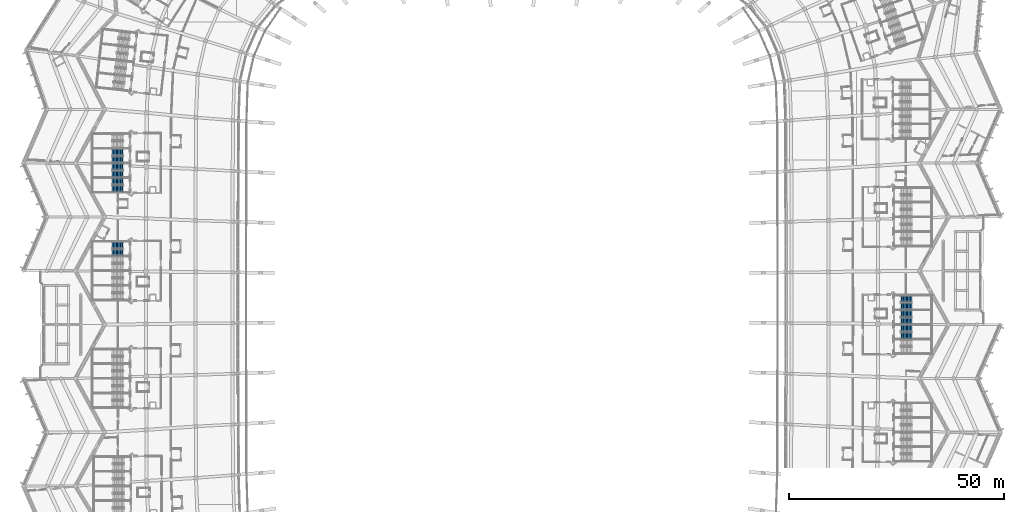
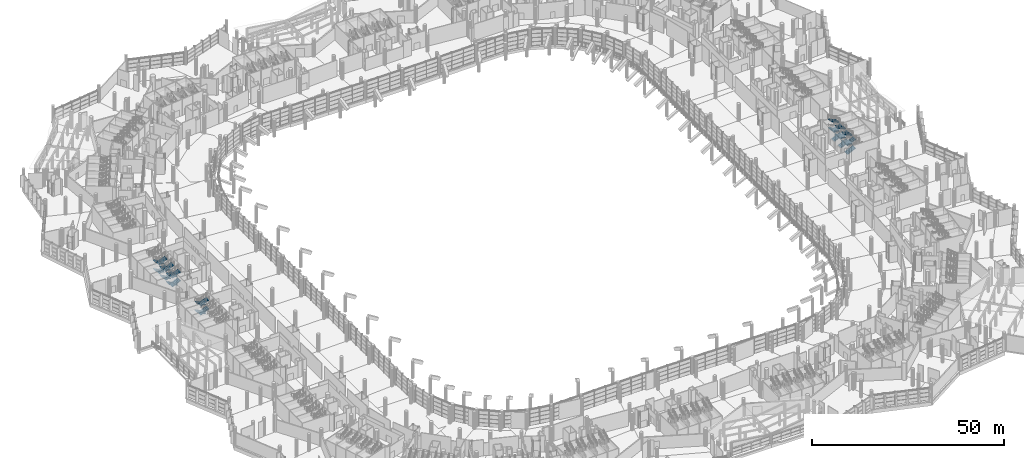
# One storey, part 213 of 271: 28 stair flights, 7 elements without a shape of their own.
"""IFC4 building model written with IfcOpenShell, lengths in metres."""

from ifc_helpers import new_model, si_unit, direction, frame, origin, place, context, subcontext, project, spatial, polyline, outline, extrude, material, type_object, element, aggregate, save


model = new_model("IFC4")

# Units and contexts
model_context = context("Model", 3, precision=1e-05, world=origin(), true_north=direction((0.0, 1.0)))
body_context = subcontext(model_context, "Body", "Model", "MODEL_VIEW")
ifc_project = project(units=[si_unit("LENGTHUNIT", "METRE"), si_unit("AREAUNIT", "SQUARE_METRE"), si_unit("VOLUMEUNIT", "CUBIC_METRE"), si_unit("PLANEANGLEUNIT", "RADIAN"), si_unit("MASSUNIT", "GRAM", prefix="KILO")], contexts=[model_context])

# Site, building, storey
site_placement = place(None, origin())
site = spatial("IfcSite", under=ifc_project, at=site_placement, CompositionType="ELEMENT")
building_placement = place(site_placement, origin())
building = spatial("IfcBuilding", under=site, at=building_placement, Name="Meseta Stadium", CompositionType="ELEMENT")
storey_placement = place(building_placement, frame((0.0, 0.0, 6.5)))
storey = spatial("IfcBuildingStorey", under=building, at=storey_placement, Name="L01", CompositionType="ELEMENT", Elevation=6.5)

# Stair, stair flights
ifc_material_1 = material(Name="Concrete C40/50", Category="concrete")
stair_type = type_object("IfcStairType", Name="Exit stair 4 flights 153 mm risers", PredefinedType="HALF_TURN_STAIR", material=ifc_material_1)
stair_1_placement = place(storey_placement, origin())
stair_1 = element("IfcStair", 1, at=stair_1_placement, inside=storey, type_object=stair_type, Name="ST10 L01", PredefinedType="HALF_TURN_STAIR")
ifc_material_2 = material(Name="Concrete C40/50", Category="concrete")
stair_flight_type = type_object("IfcStairFlightType", Name="Exit stair flight 153 mm risers, 4 per storey", PredefinedType="STRAIGHT", material=ifc_material_2)
stair_flight_1_placement = place(storey_placement, frame((90.300048828125, -8.800048828125, 0.0), z_axis=(0.0, 0.0, 1.0), x_axis=(1.0, 0.0, 0.0)))
stair_flight_1 = element("IfcStairFlight", 2, at=stair_flight_1_placement, type_object=stair_flight_type, Name="ST10 L01 flight 1", NumberOfRisers=9, NumberOfTreads=8, PredefinedType="STRAIGHT", RiserHeight=0.152777778, TreadLength=0.32, context=body_context, shape_type="SweptSolid", body=[
    extrude(outline(polyline([(0.0, 0.0), (0.0, 0.15283203125), (0.320068359375, 0.15283203125), (0.320068359375, 0.3056640625), (0.639892578125, 0.3056640625), (0.639892578125, 0.458251953125), (0.9599609375, 0.458251953125), (0.9599609375, 0.611083984375), (1.280029296875, 0.611083984375), (1.280029296875, 0.763916015625), (1.60009765625, 0.763916015625), (1.60009765625, 0.916748046875), (1.919921875, 0.916748046875), (1.919921875, 1.0693359375), (2.239990234375, 1.0693359375), (2.239990234375, 1.22216796875), (2.56005859375, 1.22216796875), (2.56005859375, 1.05615234375), (0.347900390625, 0.0), (0.0, 0.0)])), frame((0.0, 0.75, 0.0), z_axis=(0.0, -1.0, 0.0), x_axis=(1.0, 0.0, 0.0)), (0.0, 0.0, 1.0), 1.5),
])
stair_flight_2_placement = place(storey_placement, frame((92.860107421875, -7.10009765625, 1.375), z_axis=(0.0, 0.0, 1.0), x_axis=(-1.0, 0.0, 0.0)))
stair_flight_2 = element("IfcStairFlight", 3, at=stair_flight_2_placement, type_object=stair_flight_type, Name="ST10 L01 flight 2", NumberOfRisers=9, NumberOfTreads=8, PredefinedType="STRAIGHT", RiserHeight=0.152777778, TreadLength=0.32, context=body_context, shape_type="SweptSolid", body=[
    extrude(outline(polyline([(0.0, 0.0), (0.0, 0.15283203125), (0.320068359375, 0.15283203125), (0.320068359375, 0.3056640625), (0.639892578125, 0.3056640625), (0.639892578125, 0.458251953125), (0.9599609375, 0.458251953125), (0.9599609375, 0.611083984375), (1.280029296875, 0.611083984375), (1.280029296875, 0.763916015625), (1.60009765625, 0.763916015625), (1.60009765625, 0.916748046875), (1.919921875, 0.916748046875), (1.919921875, 1.0693359375), (2.239990234375, 1.0693359375), (2.239990234375, 1.22216796875), (2.56005859375, 1.22216796875), (2.56005859375, 1.05615234375), (0.347900390625, 0.0), (0.0, 0.0)])), frame((0.0, 0.75, 0.0), z_axis=(0.0, -1.0, 0.0), x_axis=(1.0, 0.0, 0.0)), (0.0, 0.0, 1.0), 1.5),
])
stair_flight_3_placement = place(storey_placement, frame((90.300048828125, -8.800048828125, 2.75), z_axis=(0.0, 0.0, 1.0), x_axis=(1.0, 0.0, 0.0)))
stair_flight_3 = element("IfcStairFlight", 4, at=stair_flight_3_placement, type_object=stair_flight_type, Name="ST10 L01 flight 3", NumberOfRisers=9, NumberOfTreads=8, PredefinedType="STRAIGHT", RiserHeight=0.152777778, TreadLength=0.32, context=body_context, shape_type="SweptSolid", body=[
    extrude(outline(polyline([(0.0, 0.0), (0.0, 0.15283203125), (0.320068359375, 0.15283203125), (0.320068359375, 0.3056640625), (0.639892578125, 0.3056640625), (0.639892578125, 0.458251953125), (0.9599609375, 0.458251953125), (0.9599609375, 0.611083984375), (1.280029296875, 0.611083984375), (1.280029296875, 0.763916015625), (1.60009765625, 0.763916015625), (1.60009765625, 0.916748046875), (1.919921875, 0.916748046875), (1.919921875, 1.0693359375), (2.239990234375, 1.0693359375), (2.239990234375, 1.22216796875), (2.56005859375, 1.22216796875), (2.56005859375, 1.05615234375), (0.347900390625, 0.0), (0.0, 0.0)])), frame((0.0, 0.75, 0.0), z_axis=(0.0, -1.0, 0.0), x_axis=(1.0, 0.0, 0.0)), (0.0, 0.0, 1.0), 1.5),
])
stair_flight_4_placement = place(storey_placement, frame((92.860107421875, -7.10009765625, 4.125), z_axis=(0.0, 0.0, 1.0), x_axis=(-1.0, 0.0, 0.0)))
stair_flight_4 = element("IfcStairFlight", 5, at=stair_flight_4_placement, type_object=stair_flight_type, Name="ST10 L01 flight 4", NumberOfRisers=9, NumberOfTreads=8, PredefinedType="STRAIGHT", RiserHeight=0.152777778, TreadLength=0.32, context=body_context, shape_type="SweptSolid", body=[
    extrude(outline(polyline([(0.0, 0.0), (0.0, 0.15283203125), (0.320068359375, 0.15283203125), (0.320068359375, 0.3056640625), (0.639892578125, 0.3056640625), (0.639892578125, 0.458251953125), (0.9599609375, 0.458251953125), (0.9599609375, 0.611083984375), (1.280029296875, 0.611083984375), (1.280029296875, 0.763916015625), (1.60009765625, 0.763916015625), (1.60009765625, 0.916748046875), (1.919921875, 0.916748046875), (1.919921875, 1.0693359375), (2.239990234375, 1.0693359375), (2.239990234375, 1.22216796875), (2.56005859375, 1.22216796875), (2.56005859375, 1.05615234375), (0.347900390625, 0.0), (0.0, 0.0)])), frame((0.0, 0.75, 0.0), z_axis=(0.0, -1.0, 0.0), x_axis=(1.0, 0.0, 0.0)), (0.0, 0.0, 1.0), 1.5),
])
aggregate(stair_1, [stair_flight_1, stair_flight_2, stair_flight_3, stair_flight_4])

stair_2_placement = place(storey_placement, origin())
stair_2 = element("IfcStair", 6, at=stair_2_placement, inside=storey, type_object=stair_type, Name="ST11 L01", PredefinedType="HALF_TURN_STAIR")
stair_flight_5_placement = place(storey_placement, frame((90.300048828125, -5.39990234375, 0.0), z_axis=(0.0, 0.0, 1.0), x_axis=(1.0, 0.0, 0.0)))
stair_flight_5 = element("IfcStairFlight", 7, at=stair_flight_5_placement, type_object=stair_flight_type, Name="ST11 L01 flight 1", NumberOfRisers=9, NumberOfTreads=8, PredefinedType="STRAIGHT", RiserHeight=0.152777778, TreadLength=0.32, context=body_context, shape_type="SweptSolid", body=[
    extrude(outline(polyline([(0.0, 0.0), (0.0, 0.15283203125), (0.320068359375, 0.15283203125), (0.320068359375, 0.3056640625), (0.639892578125, 0.3056640625), (0.639892578125, 0.458251953125), (0.9599609375, 0.458251953125), (0.9599609375, 0.611083984375), (1.280029296875, 0.611083984375), (1.280029296875, 0.763916015625), (1.60009765625, 0.763916015625), (1.60009765625, 0.916748046875), (1.919921875, 0.916748046875), (1.919921875, 1.0693359375), (2.239990234375, 1.0693359375), (2.239990234375, 1.22216796875), (2.56005859375, 1.22216796875), (2.56005859375, 1.05615234375), (0.347900390625, 0.0), (0.0, 0.0)])), frame((0.0, 0.75, 0.0), z_axis=(0.0, -1.0, 0.0), x_axis=(1.0, 0.0, 0.0)), (0.0, 0.0, 1.0), 1.5),
])
stair_flight_6_placement = place(storey_placement, frame((92.860107421875, -3.699951171875, 1.375), z_axis=(0.0, 0.0, 1.0), x_axis=(-1.0, 0.0, 0.0)))
stair_flight_6 = element("IfcStairFlight", 8, at=stair_flight_6_placement, type_object=stair_flight_type, Name="ST11 L01 flight 2", NumberOfRisers=9, NumberOfTreads=8, PredefinedType="STRAIGHT", RiserHeight=0.152777778, TreadLength=0.32, context=body_context, shape_type="SweptSolid", body=[
    extrude(outline(polyline([(0.0, 0.0), (0.0, 0.15283203125), (0.320068359375, 0.15283203125), (0.320068359375, 0.3056640625), (0.639892578125, 0.3056640625), (0.639892578125, 0.458251953125), (0.9599609375, 0.458251953125), (0.9599609375, 0.611083984375), (1.280029296875, 0.611083984375), (1.280029296875, 0.763916015625), (1.60009765625, 0.763916015625), (1.60009765625, 0.916748046875), (1.919921875, 0.916748046875), (1.919921875, 1.0693359375), (2.239990234375, 1.0693359375), (2.239990234375, 1.22216796875), (2.56005859375, 1.22216796875), (2.56005859375, 1.05615234375), (0.347900390625, 0.0), (0.0, 0.0)])), frame((0.0, 0.75, 0.0), z_axis=(0.0, -1.0, 0.0), x_axis=(1.0, 0.0, 0.0)), (0.0, 0.0, 1.0), 1.5),
])
stair_flight_7_placement = place(storey_placement, frame((90.300048828125, -5.39990234375, 2.75), z_axis=(0.0, 0.0, 1.0), x_axis=(1.0, 0.0, 0.0)))
stair_flight_7 = element("IfcStairFlight", 9, at=stair_flight_7_placement, type_object=stair_flight_type, Name="ST11 L01 flight 3", NumberOfRisers=9, NumberOfTreads=8, PredefinedType="STRAIGHT", RiserHeight=0.152777778, TreadLength=0.32, context=body_context, shape_type="SweptSolid", body=[
    extrude(outline(polyline([(0.0, 0.0), (0.0, 0.15283203125), (0.320068359375, 0.15283203125), (0.320068359375, 0.3056640625), (0.639892578125, 0.3056640625), (0.639892578125, 0.458251953125), (0.9599609375, 0.458251953125), (0.9599609375, 0.611083984375), (1.280029296875, 0.611083984375), (1.280029296875, 0.763916015625), (1.60009765625, 0.763916015625), (1.60009765625, 0.916748046875), (1.919921875, 0.916748046875), (1.919921875, 1.0693359375), (2.239990234375, 1.0693359375), (2.239990234375, 1.22216796875), (2.56005859375, 1.22216796875), (2.56005859375, 1.05615234375), (0.347900390625, 0.0), (0.0, 0.0)])), frame((0.0, 0.75, 0.0), z_axis=(0.0, -1.0, 0.0), x_axis=(1.0, 0.0, 0.0)), (0.0, 0.0, 1.0), 1.5),
])
stair_flight_8_placement = place(storey_placement, frame((92.860107421875, -3.699951171875, 4.125), z_axis=(0.0, 0.0, 1.0), x_axis=(-1.0, 0.0, 0.0)))
stair_flight_8 = element("IfcStairFlight", 10, at=stair_flight_8_placement, type_object=stair_flight_type, Name="ST11 L01 flight 4", NumberOfRisers=9, NumberOfTreads=8, PredefinedType="STRAIGHT", RiserHeight=0.152777778, TreadLength=0.32, context=body_context, shape_type="SweptSolid", body=[
    extrude(outline(polyline([(0.0, 0.0), (0.0, 0.15283203125), (0.320068359375, 0.15283203125), (0.320068359375, 0.3056640625), (0.639892578125, 0.3056640625), (0.639892578125, 0.458251953125), (0.9599609375, 0.458251953125), (0.9599609375, 0.611083984375), (1.280029296875, 0.611083984375), (1.280029296875, 0.763916015625), (1.60009765625, 0.763916015625), (1.60009765625, 0.916748046875), (1.919921875, 0.916748046875), (1.919921875, 1.0693359375), (2.239990234375, 1.0693359375), (2.239990234375, 1.22216796875), (2.56005859375, 1.22216796875), (2.56005859375, 1.05615234375), (0.347900390625, 0.0), (0.0, 0.0)])), frame((0.0, 0.75, 0.0), z_axis=(0.0, -1.0, 0.0), x_axis=(1.0, 0.0, 0.0)), (0.0, 0.0, 1.0), 1.5),
])
aggregate(stair_2, [stair_flight_5, stair_flight_6, stair_flight_7, stair_flight_8])

stair_3_placement = place(storey_placement, origin())
stair_3 = element("IfcStair", 11, at=stair_3_placement, inside=storey, type_object=stair_type, Name="ST12 L01", PredefinedType="HALF_TURN_STAIR")
stair_flight_9_placement = place(storey_placement, frame((90.300048828125, -2.0, 0.0), z_axis=(0.0, 0.0, 1.0), x_axis=(1.0, 0.0, 0.0)))
stair_flight_9 = element("IfcStairFlight", 12, at=stair_flight_9_placement, type_object=stair_flight_type, Name="ST12 L01 flight 1", NumberOfRisers=9, NumberOfTreads=8, PredefinedType="STRAIGHT", RiserHeight=0.152777778, TreadLength=0.32, context=body_context, shape_type="SweptSolid", body=[
    extrude(outline(polyline([(0.0, 0.0), (0.0, 0.15283203125), (0.320068359375, 0.15283203125), (0.320068359375, 0.3056640625), (0.639892578125, 0.3056640625), (0.639892578125, 0.458251953125), (0.9599609375, 0.458251953125), (0.9599609375, 0.611083984375), (1.280029296875, 0.611083984375), (1.280029296875, 0.763916015625), (1.60009765625, 0.763916015625), (1.60009765625, 0.916748046875), (1.919921875, 0.916748046875), (1.919921875, 1.0693359375), (2.239990234375, 1.0693359375), (2.239990234375, 1.22216796875), (2.56005859375, 1.22216796875), (2.56005859375, 1.05615234375), (0.347900390625, 0.0), (0.0, 0.0)])), frame((0.0, 0.75, 0.0), z_axis=(0.0, -1.0, 0.0), x_axis=(1.0, 0.0, 0.0)), (0.0, 0.0, 1.0), 1.5),
])
stair_flight_10_placement = place(storey_placement, frame((92.860107421875, -0.300048828125, 1.375), z_axis=(0.0, 0.0, 1.0), x_axis=(-1.0, 0.0, 0.0)))
stair_flight_10 = element("IfcStairFlight", 13, at=stair_flight_10_placement, type_object=stair_flight_type, Name="ST12 L01 flight 2", NumberOfRisers=9, NumberOfTreads=8, PredefinedType="STRAIGHT", RiserHeight=0.152777778, TreadLength=0.32, context=body_context, shape_type="SweptSolid", body=[
    extrude(outline(polyline([(0.0, 0.0), (0.0, 0.15283203125), (0.320068359375, 0.15283203125), (0.320068359375, 0.3056640625), (0.639892578125, 0.3056640625), (0.639892578125, 0.458251953125), (0.9599609375, 0.458251953125), (0.9599609375, 0.611083984375), (1.280029296875, 0.611083984375), (1.280029296875, 0.763916015625), (1.60009765625, 0.763916015625), (1.60009765625, 0.916748046875), (1.919921875, 0.916748046875), (1.919921875, 1.0693359375), (2.239990234375, 1.0693359375), (2.239990234375, 1.22216796875), (2.56005859375, 1.22216796875), (2.56005859375, 1.05615234375), (0.347900390625, 0.0), (0.0, 0.0)])), frame((0.0, 0.75, 0.0), z_axis=(0.0, -1.0, 0.0), x_axis=(1.0, 0.0, 0.0)), (0.0, 0.0, 1.0), 1.5),
])
stair_flight_11_placement = place(storey_placement, frame((90.300048828125, -2.0, 2.75), z_axis=(0.0, 0.0, 1.0), x_axis=(1.0, 0.0, 0.0)))
stair_flight_11 = element("IfcStairFlight", 14, at=stair_flight_11_placement, type_object=stair_flight_type, Name="ST12 L01 flight 3", NumberOfRisers=9, NumberOfTreads=8, PredefinedType="STRAIGHT", RiserHeight=0.152777778, TreadLength=0.32, context=body_context, shape_type="SweptSolid", body=[
    extrude(outline(polyline([(0.0, 0.0), (0.0, 0.15283203125), (0.320068359375, 0.15283203125), (0.320068359375, 0.3056640625), (0.639892578125, 0.3056640625), (0.639892578125, 0.458251953125), (0.9599609375, 0.458251953125), (0.9599609375, 0.611083984375), (1.280029296875, 0.611083984375), (1.280029296875, 0.763916015625), (1.60009765625, 0.763916015625), (1.60009765625, 0.916748046875), (1.919921875, 0.916748046875), (1.919921875, 1.0693359375), (2.239990234375, 1.0693359375), (2.239990234375, 1.22216796875), (2.56005859375, 1.22216796875), (2.56005859375, 1.05615234375), (0.347900390625, 0.0), (0.0, 0.0)])), frame((0.0, 0.75, 0.0), z_axis=(0.0, -1.0, 0.0), x_axis=(1.0, 0.0, 0.0)), (0.0, 0.0, 1.0), 1.5),
])
stair_flight_12_placement = place(storey_placement, frame((92.860107421875, -0.300048828125, 4.125), z_axis=(0.0, 0.0, 1.0), x_axis=(-1.0, 0.0, 0.0)))
stair_flight_12 = element("IfcStairFlight", 15, at=stair_flight_12_placement, type_object=stair_flight_type, Name="ST12 L01 flight 4", NumberOfRisers=9, NumberOfTreads=8, PredefinedType="STRAIGHT", RiserHeight=0.152777778, TreadLength=0.32, context=body_context, shape_type="SweptSolid", body=[
    extrude(outline(polyline([(0.0, 0.0), (0.0, 0.15283203125), (0.320068359375, 0.15283203125), (0.320068359375, 0.3056640625), (0.639892578125, 0.3056640625), (0.639892578125, 0.458251953125), (0.9599609375, 0.458251953125), (0.9599609375, 0.611083984375), (1.280029296875, 0.611083984375), (1.280029296875, 0.763916015625), (1.60009765625, 0.763916015625), (1.60009765625, 0.916748046875), (1.919921875, 0.916748046875), (1.919921875, 1.0693359375), (2.239990234375, 1.0693359375), (2.239990234375, 1.22216796875), (2.56005859375, 1.22216796875), (2.56005859375, 1.05615234375), (0.347900390625, 0.0), (0.0, 0.0)])), frame((0.0, 0.75, 0.0), z_axis=(0.0, -1.0, 0.0), x_axis=(1.0, 0.0, 0.0)), (0.0, 0.0, 1.0), 1.5),
])
aggregate(stair_3, [stair_flight_9, stair_flight_10, stair_flight_11, stair_flight_12])

stair_4_placement = place(storey_placement, origin())
stair_4 = element("IfcStair", 16, at=stair_4_placement, inside=storey, type_object=stair_type, Name="ST62 L01", PredefinedType="HALF_TURN_STAIR")
stair_flight_13_placement = place(storey_placement, frame((-90.300048828125, 33.800048828125, 0.0), z_axis=(0.0, 0.0, 1.0), x_axis=(-1.0, 0.0, 0.0)))
stair_flight_13 = element("IfcStairFlight", 17, at=stair_flight_13_placement, type_object=stair_flight_type, Name="ST62 L01 flight 1", NumberOfRisers=9, NumberOfTreads=8, PredefinedType="STRAIGHT", RiserHeight=0.152777778, TreadLength=0.32, context=body_context, shape_type="SweptSolid", body=[
    extrude(outline(polyline([(0.0, 0.0), (0.0, 0.15283203125), (0.320068359375, 0.15283203125), (0.320068359375, 0.3056640625), (0.639892578125, 0.3056640625), (0.639892578125, 0.458251953125), (0.9599609375, 0.458251953125), (0.9599609375, 0.611083984375), (1.280029296875, 0.611083984375), (1.280029296875, 0.763916015625), (1.60009765625, 0.763916015625), (1.60009765625, 0.916748046875), (1.919921875, 0.916748046875), (1.919921875, 1.0693359375), (2.239990234375, 1.0693359375), (2.239990234375, 1.22216796875), (2.56005859375, 1.22216796875), (2.56005859375, 1.05615234375), (0.347900390625, 0.0), (0.0, 0.0)])), frame((0.0, 0.75, 0.0), z_axis=(0.0, -1.0, 0.0), x_axis=(1.0, 0.0, 0.0)), (0.0, 0.0, 1.0), 1.5),
])
stair_flight_14_placement = place(storey_placement, frame((-92.860107421875, 32.10009765625, 1.375), z_axis=(0.0, 0.0, 1.0), x_axis=(1.0, 0.0, 0.0)))
stair_flight_14 = element("IfcStairFlight", 18, at=stair_flight_14_placement, type_object=stair_flight_type, Name="ST62 L01 flight 2", NumberOfRisers=9, NumberOfTreads=8, PredefinedType="STRAIGHT", RiserHeight=0.152777778, TreadLength=0.32, context=body_context, shape_type="SweptSolid", body=[
    extrude(outline(polyline([(0.0, 0.0), (0.0, 0.15283203125), (0.320068359375, 0.15283203125), (0.320068359375, 0.3056640625), (0.639892578125, 0.3056640625), (0.639892578125, 0.458251953125), (0.9599609375, 0.458251953125), (0.9599609375, 0.611083984375), (1.280029296875, 0.611083984375), (1.280029296875, 0.763916015625), (1.60009765625, 0.763916015625), (1.60009765625, 0.916748046875), (1.919921875, 0.916748046875), (1.919921875, 1.0693359375), (2.239990234375, 1.0693359375), (2.239990234375, 1.22216796875), (2.56005859375, 1.22216796875), (2.56005859375, 1.05615234375), (0.347900390625, 0.0), (0.0, 0.0)])), frame((0.0, 0.75, 0.0), z_axis=(0.0, -1.0, 0.0), x_axis=(1.0, 0.0, 0.0)), (0.0, 0.0, 1.0), 1.5),
])
stair_flight_15_placement = place(storey_placement, frame((-90.300048828125, 33.800048828125, 2.75), z_axis=(0.0, 0.0, 1.0), x_axis=(-1.0, 0.0, 0.0)))
stair_flight_15 = element("IfcStairFlight", 19, at=stair_flight_15_placement, type_object=stair_flight_type, Name="ST62 L01 flight 3", NumberOfRisers=9, NumberOfTreads=8, PredefinedType="STRAIGHT", RiserHeight=0.152777778, TreadLength=0.32, context=body_context, shape_type="SweptSolid", body=[
    extrude(outline(polyline([(0.0, 0.0), (0.0, 0.15283203125), (0.320068359375, 0.15283203125), (0.320068359375, 0.3056640625), (0.639892578125, 0.3056640625), (0.639892578125, 0.458251953125), (0.9599609375, 0.458251953125), (0.9599609375, 0.611083984375), (1.280029296875, 0.611083984375), (1.280029296875, 0.763916015625), (1.60009765625, 0.763916015625), (1.60009765625, 0.916748046875), (1.919921875, 0.916748046875), (1.919921875, 1.0693359375), (2.239990234375, 1.0693359375), (2.239990234375, 1.22216796875), (2.56005859375, 1.22216796875), (2.56005859375, 1.05615234375), (0.347900390625, 0.0), (0.0, 0.0)])), frame((0.0, 0.75, 0.0), z_axis=(0.0, -1.0, 0.0), x_axis=(1.0, 0.0, 0.0)), (0.0, 0.0, 1.0), 1.5),
])
stair_flight_16_placement = place(storey_placement, frame((-92.860107421875, 32.10009765625, 4.125), z_axis=(0.0, 0.0, 1.0), x_axis=(1.0, 0.0, 0.0)))
stair_flight_16 = element("IfcStairFlight", 20, at=stair_flight_16_placement, type_object=stair_flight_type, Name="ST62 L01 flight 4", NumberOfRisers=9, NumberOfTreads=8, PredefinedType="STRAIGHT", RiserHeight=0.152777778, TreadLength=0.32, context=body_context, shape_type="SweptSolid", body=[
    extrude(outline(polyline([(0.0, 0.0), (0.0, 0.15283203125), (0.320068359375, 0.15283203125), (0.320068359375, 0.3056640625), (0.639892578125, 0.3056640625), (0.639892578125, 0.458251953125), (0.9599609375, 0.458251953125), (0.9599609375, 0.611083984375), (1.280029296875, 0.611083984375), (1.280029296875, 0.763916015625), (1.60009765625, 0.763916015625), (1.60009765625, 0.916748046875), (1.919921875, 0.916748046875), (1.919921875, 1.0693359375), (2.239990234375, 1.0693359375), (2.239990234375, 1.22216796875), (2.56005859375, 1.22216796875), (2.56005859375, 1.05615234375), (0.347900390625, 0.0), (0.0, 0.0)])), frame((0.0, 0.75, 0.0), z_axis=(0.0, -1.0, 0.0), x_axis=(1.0, 0.0, 0.0)), (0.0, 0.0, 1.0), 1.5),
])
aggregate(stair_4, [stair_flight_13, stair_flight_14, stair_flight_15, stair_flight_16])

stair_5_placement = place(storey_placement, origin())
stair_5 = element("IfcStair", 21, at=stair_5_placement, inside=storey, type_object=stair_type, Name="ST63 L01", PredefinedType="HALF_TURN_STAIR")
stair_flight_17_placement = place(storey_placement, frame((-90.300048828125, 30.39990234375, 0.0), z_axis=(0.0, 0.0, 1.0), x_axis=(-1.0, 0.0, 0.0)))
stair_flight_17 = element("IfcStairFlight", 22, at=stair_flight_17_placement, type_object=stair_flight_type, Name="ST63 L01 flight 1", NumberOfRisers=9, NumberOfTreads=8, PredefinedType="STRAIGHT", RiserHeight=0.152777778, TreadLength=0.32, context=body_context, shape_type="SweptSolid", body=[
    extrude(outline(polyline([(0.0, 0.0), (0.0, 0.15283203125), (0.320068359375, 0.15283203125), (0.320068359375, 0.3056640625), (0.639892578125, 0.3056640625), (0.639892578125, 0.458251953125), (0.9599609375, 0.458251953125), (0.9599609375, 0.611083984375), (1.280029296875, 0.611083984375), (1.280029296875, 0.763916015625), (1.60009765625, 0.763916015625), (1.60009765625, 0.916748046875), (1.919921875, 0.916748046875), (1.919921875, 1.0693359375), (2.239990234375, 1.0693359375), (2.239990234375, 1.22216796875), (2.56005859375, 1.22216796875), (2.56005859375, 1.05615234375), (0.347900390625, 0.0), (0.0, 0.0)])), frame((0.0, 0.75, 0.0), z_axis=(0.0, -1.0, 0.0), x_axis=(1.0, 0.0, 0.0)), (0.0, 0.0, 1.0), 1.5),
])
stair_flight_18_placement = place(storey_placement, frame((-92.860107421875, 28.699951171875, 1.375), z_axis=(0.0, 0.0, 1.0), x_axis=(1.0, 0.0, 0.0)))
stair_flight_18 = element("IfcStairFlight", 23, at=stair_flight_18_placement, type_object=stair_flight_type, Name="ST63 L01 flight 2", NumberOfRisers=9, NumberOfTreads=8, PredefinedType="STRAIGHT", RiserHeight=0.152777778, TreadLength=0.32, context=body_context, shape_type="SweptSolid", body=[
    extrude(outline(polyline([(0.0, 0.0), (0.0, 0.15283203125), (0.320068359375, 0.15283203125), (0.320068359375, 0.3056640625), (0.639892578125, 0.3056640625), (0.639892578125, 0.458251953125), (0.9599609375, 0.458251953125), (0.9599609375, 0.611083984375), (1.280029296875, 0.611083984375), (1.280029296875, 0.763916015625), (1.60009765625, 0.763916015625), (1.60009765625, 0.916748046875), (1.919921875, 0.916748046875), (1.919921875, 1.0693359375), (2.239990234375, 1.0693359375), (2.239990234375, 1.22216796875), (2.56005859375, 1.22216796875), (2.56005859375, 1.05615234375), (0.347900390625, 0.0), (0.0, 0.0)])), frame((0.0, 0.75, 0.0), z_axis=(0.0, -1.0, 0.0), x_axis=(1.0, 0.0, 0.0)), (0.0, 0.0, 1.0), 1.5),
])
stair_flight_19_placement = place(storey_placement, frame((-90.300048828125, 30.39990234375, 2.75), z_axis=(0.0, 0.0, 1.0), x_axis=(-1.0, 0.0, 0.0)))
stair_flight_19 = element("IfcStairFlight", 24, at=stair_flight_19_placement, type_object=stair_flight_type, Name="ST63 L01 flight 3", NumberOfRisers=9, NumberOfTreads=8, PredefinedType="STRAIGHT", RiserHeight=0.152777778, TreadLength=0.32, context=body_context, shape_type="SweptSolid", body=[
    extrude(outline(polyline([(0.0, 0.0), (0.0, 0.15283203125), (0.320068359375, 0.15283203125), (0.320068359375, 0.3056640625), (0.639892578125, 0.3056640625), (0.639892578125, 0.458251953125), (0.9599609375, 0.458251953125), (0.9599609375, 0.611083984375), (1.280029296875, 0.611083984375), (1.280029296875, 0.763916015625), (1.60009765625, 0.763916015625), (1.60009765625, 0.916748046875), (1.919921875, 0.916748046875), (1.919921875, 1.0693359375), (2.239990234375, 1.0693359375), (2.239990234375, 1.22216796875), (2.56005859375, 1.22216796875), (2.56005859375, 1.05615234375), (0.347900390625, 0.0), (0.0, 0.0)])), frame((0.0, 0.75, 0.0), z_axis=(0.0, -1.0, 0.0), x_axis=(1.0, 0.0, 0.0)), (0.0, 0.0, 1.0), 1.5),
])
stair_flight_20_placement = place(storey_placement, frame((-92.860107421875, 28.699951171875, 4.125), z_axis=(0.0, 0.0, 1.0), x_axis=(1.0, 0.0, 0.0)))
stair_flight_20 = element("IfcStairFlight", 25, at=stair_flight_20_placement, type_object=stair_flight_type, Name="ST63 L01 flight 4", NumberOfRisers=9, NumberOfTreads=8, PredefinedType="STRAIGHT", RiserHeight=0.152777778, TreadLength=0.32, context=body_context, shape_type="SweptSolid", body=[
    extrude(outline(polyline([(0.0, 0.0), (0.0, 0.15283203125), (0.320068359375, 0.15283203125), (0.320068359375, 0.3056640625), (0.639892578125, 0.3056640625), (0.639892578125, 0.458251953125), (0.9599609375, 0.458251953125), (0.9599609375, 0.611083984375), (1.280029296875, 0.611083984375), (1.280029296875, 0.763916015625), (1.60009765625, 0.763916015625), (1.60009765625, 0.916748046875), (1.919921875, 0.916748046875), (1.919921875, 1.0693359375), (2.239990234375, 1.0693359375), (2.239990234375, 1.22216796875), (2.56005859375, 1.22216796875), (2.56005859375, 1.05615234375), (0.347900390625, 0.0), (0.0, 0.0)])), frame((0.0, 0.75, 0.0), z_axis=(0.0, -1.0, 0.0), x_axis=(1.0, 0.0, 0.0)), (0.0, 0.0, 1.0), 1.5),
])
aggregate(stair_5, [stair_flight_17, stair_flight_18, stair_flight_19, stair_flight_20])

stair_6_placement = place(storey_placement, origin())
stair_6 = element("IfcStair", 26, at=stair_6_placement, inside=storey, type_object=stair_type, Name="ST64 L01", PredefinedType="HALF_TURN_STAIR")
stair_flight_21_placement = place(storey_placement, frame((-90.300048828125, 27.0, 0.0), z_axis=(0.0, 0.0, 1.0), x_axis=(-1.0, 0.0, 0.0)))
stair_flight_21 = element("IfcStairFlight", 27, at=stair_flight_21_placement, type_object=stair_flight_type, Name="ST64 L01 flight 1", NumberOfRisers=9, NumberOfTreads=8, PredefinedType="STRAIGHT", RiserHeight=0.152777778, TreadLength=0.32, context=body_context, shape_type="SweptSolid", body=[
    extrude(outline(polyline([(0.0, 0.0), (0.0, 0.15283203125), (0.320068359375, 0.15283203125), (0.320068359375, 0.3056640625), (0.639892578125, 0.3056640625), (0.639892578125, 0.458251953125), (0.9599609375, 0.458251953125), (0.9599609375, 0.611083984375), (1.280029296875, 0.611083984375), (1.280029296875, 0.763916015625), (1.60009765625, 0.763916015625), (1.60009765625, 0.916748046875), (1.919921875, 0.916748046875), (1.919921875, 1.0693359375), (2.239990234375, 1.0693359375), (2.239990234375, 1.22216796875), (2.56005859375, 1.22216796875), (2.56005859375, 1.05615234375), (0.347900390625, 0.0), (0.0, 0.0)])), frame((0.0, 0.75, 0.0), z_axis=(0.0, -1.0, 0.0), x_axis=(1.0, 0.0, 0.0)), (0.0, 0.0, 1.0), 1.5),
])
stair_flight_22_placement = place(storey_placement, frame((-92.860107421875, 25.300048828125, 1.375), z_axis=(0.0, 0.0, 1.0), x_axis=(1.0, 0.0, 0.0)))
stair_flight_22 = element("IfcStairFlight", 28, at=stair_flight_22_placement, type_object=stair_flight_type, Name="ST64 L01 flight 2", NumberOfRisers=9, NumberOfTreads=8, PredefinedType="STRAIGHT", RiserHeight=0.152777778, TreadLength=0.32, context=body_context, shape_type="SweptSolid", body=[
    extrude(outline(polyline([(0.0, 0.0), (0.0, 0.15283203125), (0.320068359375, 0.15283203125), (0.320068359375, 0.3056640625), (0.639892578125, 0.3056640625), (0.639892578125, 0.458251953125), (0.9599609375, 0.458251953125), (0.9599609375, 0.611083984375), (1.280029296875, 0.611083984375), (1.280029296875, 0.763916015625), (1.60009765625, 0.763916015625), (1.60009765625, 0.916748046875), (1.919921875, 0.916748046875), (1.919921875, 1.0693359375), (2.239990234375, 1.0693359375), (2.239990234375, 1.22216796875), (2.56005859375, 1.22216796875), (2.56005859375, 1.05615234375), (0.347900390625, 0.0), (0.0, 0.0)])), frame((0.0, 0.75, 0.0), z_axis=(0.0, -1.0, 0.0), x_axis=(1.0, 0.0, 0.0)), (0.0, 0.0, 1.0), 1.5),
])
stair_flight_23_placement = place(storey_placement, frame((-90.300048828125, 27.0, 2.75), z_axis=(0.0, 0.0, 1.0), x_axis=(-1.0, 0.0, 0.0)))
stair_flight_23 = element("IfcStairFlight", 29, at=stair_flight_23_placement, type_object=stair_flight_type, Name="ST64 L01 flight 3", NumberOfRisers=9, NumberOfTreads=8, PredefinedType="STRAIGHT", RiserHeight=0.152777778, TreadLength=0.32, context=body_context, shape_type="SweptSolid", body=[
    extrude(outline(polyline([(0.0, 0.0), (0.0, 0.15283203125), (0.320068359375, 0.15283203125), (0.320068359375, 0.3056640625), (0.639892578125, 0.3056640625), (0.639892578125, 0.458251953125), (0.9599609375, 0.458251953125), (0.9599609375, 0.611083984375), (1.280029296875, 0.611083984375), (1.280029296875, 0.763916015625), (1.60009765625, 0.763916015625), (1.60009765625, 0.916748046875), (1.919921875, 0.916748046875), (1.919921875, 1.0693359375), (2.239990234375, 1.0693359375), (2.239990234375, 1.22216796875), (2.56005859375, 1.22216796875), (2.56005859375, 1.05615234375), (0.347900390625, 0.0), (0.0, 0.0)])), frame((0.0, 0.75, 0.0), z_axis=(0.0, -1.0, 0.0), x_axis=(1.0, 0.0, 0.0)), (0.0, 0.0, 1.0), 1.5),
])
stair_flight_24_placement = place(storey_placement, frame((-92.860107421875, 25.300048828125, 4.125), z_axis=(0.0, 0.0, 1.0), x_axis=(1.0, 0.0, 0.0)))
stair_flight_24 = element("IfcStairFlight", 30, at=stair_flight_24_placement, type_object=stair_flight_type, Name="ST64 L01 flight 4", NumberOfRisers=9, NumberOfTreads=8, PredefinedType="STRAIGHT", RiserHeight=0.152777778, TreadLength=0.32, context=body_context, shape_type="SweptSolid", body=[
    extrude(outline(polyline([(0.0, 0.0), (0.0, 0.15283203125), (0.320068359375, 0.15283203125), (0.320068359375, 0.3056640625), (0.639892578125, 0.3056640625), (0.639892578125, 0.458251953125), (0.9599609375, 0.458251953125), (0.9599609375, 0.611083984375), (1.280029296875, 0.611083984375), (1.280029296875, 0.763916015625), (1.60009765625, 0.763916015625), (1.60009765625, 0.916748046875), (1.919921875, 0.916748046875), (1.919921875, 1.0693359375), (2.239990234375, 1.0693359375), (2.239990234375, 1.22216796875), (2.56005859375, 1.22216796875), (2.56005859375, 1.05615234375), (0.347900390625, 0.0), (0.0, 0.0)])), frame((0.0, 0.75, 0.0), z_axis=(0.0, -1.0, 0.0), x_axis=(1.0, 0.0, 0.0)), (0.0, 0.0, 1.0), 1.5),
])
aggregate(stair_6, [stair_flight_21, stair_flight_22, stair_flight_23, stair_flight_24])

stair_7_placement = place(storey_placement, origin())
stair_7 = element("IfcStair", 31, at=stair_7_placement, inside=storey, type_object=stair_type, Name="ST65 L01", PredefinedType="HALF_TURN_STAIR")
stair_flight_25_placement = place(storey_placement, frame((-90.300048828125, 12.199951171875, 0.0), z_axis=(0.0, 0.0, 1.0), x_axis=(-1.0, 0.0, 0.0)))
stair_flight_25 = element("IfcStairFlight", 32, at=stair_flight_25_placement, type_object=stair_flight_type, Name="ST65 L01 flight 1", NumberOfRisers=9, NumberOfTreads=8, PredefinedType="STRAIGHT", RiserHeight=0.152777778, TreadLength=0.32, context=body_context, shape_type="SweptSolid", body=[
    extrude(outline(polyline([(0.0, 0.0), (0.0, 0.15283203125), (0.320068359375, 0.15283203125), (0.320068359375, 0.3056640625), (0.639892578125, 0.3056640625), (0.639892578125, 0.458251953125), (0.9599609375, 0.458251953125), (0.9599609375, 0.611083984375), (1.280029296875, 0.611083984375), (1.280029296875, 0.763916015625), (1.60009765625, 0.763916015625), (1.60009765625, 0.916748046875), (1.919921875, 0.916748046875), (1.919921875, 1.0693359375), (2.239990234375, 1.0693359375), (2.239990234375, 1.22216796875), (2.56005859375, 1.22216796875), (2.56005859375, 1.05615234375), (0.347900390625, 0.0), (0.0, 0.0)])), frame((0.0, 0.75, 0.0), z_axis=(0.0, -1.0, 0.0), x_axis=(1.0, 0.0, 0.0)), (0.0, 0.0, 1.0), 1.5),
])
stair_flight_26_placement = place(storey_placement, frame((-92.860107421875, 10.5, 1.375), z_axis=(0.0, 0.0, 1.0), x_axis=(1.0, 0.0, 0.0)))
stair_flight_26 = element("IfcStairFlight", 33, at=stair_flight_26_placement, type_object=stair_flight_type, Name="ST65 L01 flight 2", NumberOfRisers=9, NumberOfTreads=8, PredefinedType="STRAIGHT", RiserHeight=0.152777778, TreadLength=0.32, context=body_context, shape_type="SweptSolid", body=[
    extrude(outline(polyline([(0.0, 0.0), (0.0, 0.15283203125), (0.320068359375, 0.15283203125), (0.320068359375, 0.3056640625), (0.639892578125, 0.3056640625), (0.639892578125, 0.458251953125), (0.9599609375, 0.458251953125), (0.9599609375, 0.611083984375), (1.280029296875, 0.611083984375), (1.280029296875, 0.763916015625), (1.60009765625, 0.763916015625), (1.60009765625, 0.916748046875), (1.919921875, 0.916748046875), (1.919921875, 1.0693359375), (2.239990234375, 1.0693359375), (2.239990234375, 1.22216796875), (2.56005859375, 1.22216796875), (2.56005859375, 1.05615234375), (0.347900390625, 0.0), (0.0, 0.0)])), frame((0.0, 0.75, 0.0), z_axis=(0.0, -1.0, 0.0), x_axis=(1.0, 0.0, 0.0)), (0.0, 0.0, 1.0), 1.5),
])
stair_flight_27_placement = place(storey_placement, frame((-90.300048828125, 12.199951171875, 2.75), z_axis=(0.0, 0.0, 1.0), x_axis=(-1.0, 0.0, 0.0)))
stair_flight_27 = element("IfcStairFlight", 34, at=stair_flight_27_placement, type_object=stair_flight_type, Name="ST65 L01 flight 3", NumberOfRisers=9, NumberOfTreads=8, PredefinedType="STRAIGHT", RiserHeight=0.152777778, TreadLength=0.32, context=body_context, shape_type="SweptSolid", body=[
    extrude(outline(polyline([(0.0, 0.0), (0.0, 0.15283203125), (0.320068359375, 0.15283203125), (0.320068359375, 0.3056640625), (0.639892578125, 0.3056640625), (0.639892578125, 0.458251953125), (0.9599609375, 0.458251953125), (0.9599609375, 0.611083984375), (1.280029296875, 0.611083984375), (1.280029296875, 0.763916015625), (1.60009765625, 0.763916015625), (1.60009765625, 0.916748046875), (1.919921875, 0.916748046875), (1.919921875, 1.0693359375), (2.239990234375, 1.0693359375), (2.239990234375, 1.22216796875), (2.56005859375, 1.22216796875), (2.56005859375, 1.05615234375), (0.347900390625, 0.0), (0.0, 0.0)])), frame((0.0, 0.75, 0.0), z_axis=(0.0, -1.0, 0.0), x_axis=(1.0, 0.0, 0.0)), (0.0, 0.0, 1.0), 1.5),
])
stair_flight_28_placement = place(storey_placement, frame((-92.860107421875, 10.5, 4.125), z_axis=(0.0, 0.0, 1.0), x_axis=(1.0, 0.0, 0.0)))
stair_flight_28 = element("IfcStairFlight", 35, at=stair_flight_28_placement, type_object=stair_flight_type, Name="ST65 L01 flight 4", NumberOfRisers=9, NumberOfTreads=8, PredefinedType="STRAIGHT", RiserHeight=0.152777778, TreadLength=0.32, context=body_context, shape_type="SweptSolid", body=[
    extrude(outline(polyline([(0.0, 0.0), (0.0, 0.15283203125), (0.320068359375, 0.15283203125), (0.320068359375, 0.3056640625), (0.639892578125, 0.3056640625), (0.639892578125, 0.458251953125), (0.9599609375, 0.458251953125), (0.9599609375, 0.611083984375), (1.280029296875, 0.611083984375), (1.280029296875, 0.763916015625), (1.60009765625, 0.763916015625), (1.60009765625, 0.916748046875), (1.919921875, 0.916748046875), (1.919921875, 1.0693359375), (2.239990234375, 1.0693359375), (2.239990234375, 1.22216796875), (2.56005859375, 1.22216796875), (2.56005859375, 1.05615234375), (0.347900390625, 0.0), (0.0, 0.0)])), frame((0.0, 0.75, 0.0), z_axis=(0.0, -1.0, 0.0), x_axis=(1.0, 0.0, 0.0)), (0.0, 0.0, 1.0), 1.5),
])
aggregate(stair_7, [stair_flight_25, stair_flight_26, stair_flight_27, stair_flight_28])

save(model, "model.ifc")
